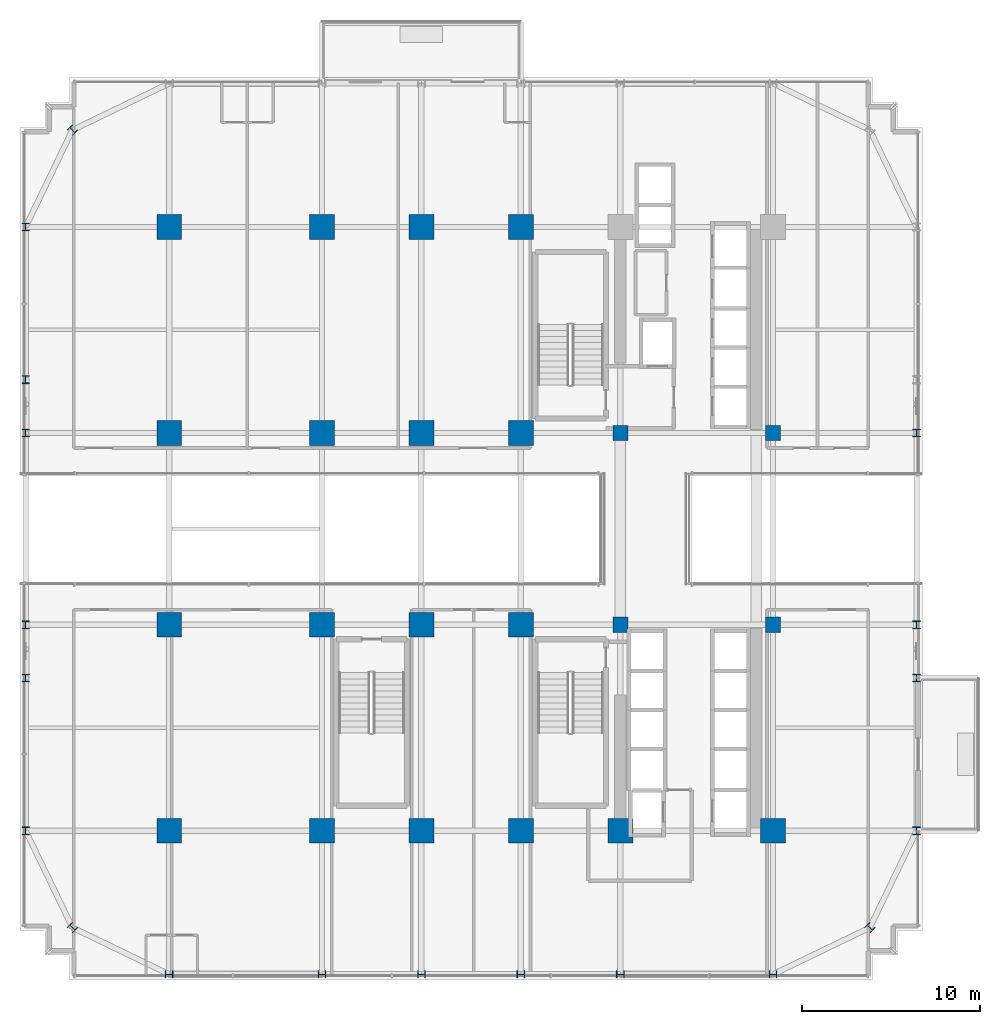
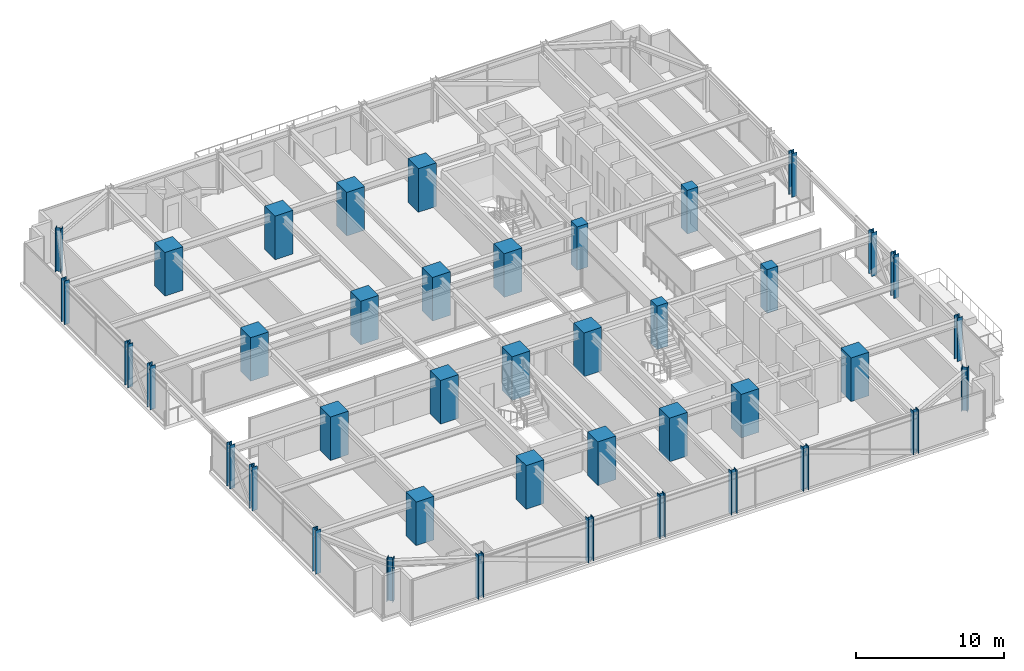
# One storey, part 1 of 47: 41 columns.
"""IFC4 building model written with IfcOpenShell, lengths in metres."""

from ifc_helpers import new_model, si_unit, direction, frame, origin, origin_2d, place, context, subcontext, project, spatial, rectangle, i_section, extrude, source, transform, mapped, material, material_profile, profile_set, type_object, element, save


model = new_model("IFC4")

# Units and contexts
model_context = context("Model", 3, precision=1e-05, world=origin(), true_north=direction((0.0, 1.0)))
body_context = subcontext(model_context, "Body", "Model", "MODEL_VIEW")
ifc_project = project(units=[si_unit("LENGTHUNIT", "METRE"), si_unit("AREAUNIT", "SQUARE_METRE"), si_unit("VOLUMEUNIT", "CUBIC_METRE"), si_unit("PLANEANGLEUNIT", "RADIAN"), si_unit("MASSUNIT", "GRAM", prefix="KILO")], contexts=[model_context])

# Site, building, storey
site_placement = place(None, origin())
site = spatial("IfcSite", under=ifc_project, at=site_placement, CompositionType="ELEMENT")
building_placement = place(site_placement, origin())
building = spatial("IfcBuilding", under=site, at=building_placement, Name="Nahalor Promenade Grand Hotel", CompositionType="ELEMENT")
storey_placement = place(building_placement, frame((0.0, 0.0, 68.89990234375)))
storey = spatial("IfcBuildingStorey", under=building, at=storey_placement, Name="L16", CompositionType="ELEMENT", Elevation=68.89990234375)

# Columns
ifc_material_1 = material(Name="Concrete B-70 (C60/75)", Category="concrete")
ifc_material_profile_1 = material_profile(ifc_material_1, rectangle(XDim=1.4, YDim=1.4, at=origin_2d()), Name="RC 1400x1400")
ifc_profile_set_1 = profile_set([ifc_material_profile_1], Name="Concrete B-70 (C60/75)")
column_type_1 = type_object("IfcColumnType", Name="Col-RC-1400", PredefinedType="COLUMN", material=ifc_profile_set_1)
shared_shape_1 = source(origin(), body_context, "Body", "SweptSolid", [
    extrude(rectangle(XDim=1.4, YDim=1.4, at=origin_2d()), origin(), (0.0, 0.0, 1.0), 3.60498046875),
])
for number, where, z_axis, x_axis, name in (
    (1, (-17.0, -17.0, 0.0), (0.0, 0.0, 1.0), (1.0, 0.0, 0.0), "COL-L16-I00"),
    (2, (-17.0, -5.39990234375, 0.0), (0.0, 0.0, 1.0), (1.0, 0.0, 0.0), "COL-L16-I01"),
    (3, (-17.0, 5.39990234375, 0.0), (0.0, 0.0, 1.0), (1.0, 0.0, 0.0), "COL-L16-I02"),
    (4, (-17.0, 17.0, 0.0), (0.0, 0.0, 1.0), (1.0, 0.0, 0.0), "COL-L16-I03"),
    (5, (-8.39990234375, -17.0, 0.0), (0.0, 0.0, 1.0), (1.0, 0.0, 0.0), "COL-L16-I10"),
    (6, (-8.39990234375, -5.39990234375, 0.0), (0.0, 0.0, 1.0), (1.0, 0.0, 0.0), "COL-L16-I11"),
    (7, (-8.39990234375, 5.39990234375, 0.0), (0.0, 0.0, 1.0), (1.0, 0.0, 0.0), "COL-L16-I12"),
    (8, (-8.39990234375, 17.0, 0.0), (0.0, 0.0, 1.0), (1.0, 0.0, 0.0), "COL-L16-I13"),
    (9, (-2.800048828125, -17.0, 0.0), (0.0, 0.0, 1.0), (1.0, 0.0, 0.0), "COL-L16-I20"),
    (10, (-2.800048828125, -5.39990234375, 0.0), (0.0, 0.0, 1.0), (1.0, 0.0, 0.0), "COL-L16-I21"),
    (11, (-2.800048828125, 5.39990234375, 0.0), (0.0, 0.0, 1.0), (1.0, 0.0, 0.0), "COL-L16-I22"),
    (12, (-2.800048828125, 17.0, 0.0), (0.0, 0.0, 1.0), (1.0, 0.0, 0.0), "COL-L16-I23"),
    (13, (2.800048828125, -17.0, 0.0), (0.0, 0.0, 1.0), (1.0, 0.0, 0.0), "COL-L16-I30"),
    (14, (2.800048828125, -5.39990234375, 0.0), (0.0, 0.0, 1.0), (1.0, 0.0, 0.0), "COL-L16-I31"),
    (15, (2.800048828125, 5.39990234375, 0.0), (0.0, 0.0, 1.0), (1.0, 0.0, 0.0), "COL-L16-I32"),
    (16, (2.800048828125, 17.0, 0.0), (0.0, 0.0, 1.0), (1.0, 0.0, 0.0), "COL-L16-I33"),
    (17, (8.39990234375, -17.0, 0.0), (0.0, 0.0, 1.0), (1.0, 0.0, 0.0), "COL-L16-I40"),
    (18, (17.0, -17.0, 0.0), (0.0, 0.0, 1.0), (1.0, 0.0, 0.0), "COL-L16-I50"),
):
    element("IfcColumn", number, at=place(storey_placement, frame(where, z_axis=z_axis, x_axis=x_axis)), inside=storey, type_object=column_type_1, Name=name, PredefinedType="COLUMN", context=body_context, shape_type="MappedRepresentation", body=[
        mapped(shared_shape_1, transform((0.0, 0.0, 0.0), scale=1.0)),
    ])
ifc_material_profile_2 = material_profile(ifc_material_1, rectangle(XDim=0.85, YDim=0.85, at=origin_2d()), Name="RC 850x850")
ifc_profile_set_2 = profile_set([ifc_material_profile_2], Name="Concrete B-70 (C60/75)")
column_type_2 = type_object("IfcColumnType", Name="Col-Pilaster-850", PredefinedType="PILASTER", material=ifc_profile_set_2)
shared_shape_2 = source(origin(), body_context, "Body", "SweptSolid", [
    extrude(rectangle(XDim=0.85, YDim=0.85, at=origin_2d()), origin(), (0.0, 0.0, 1.0), 3.60498046875),
])
for number, where, z_axis, x_axis, name in (
    (19, (8.39990234375, -5.39990234375, 0.0), (0.0, 0.0, 1.0), (1.0, 0.0, 0.0), "COL-L16-I41"),
    (20, (8.39990234375, 5.39990234375, 0.0), (0.0, 0.0, 1.0), (1.0, 0.0, 0.0), "COL-L16-I42"),
    (21, (17.0, -5.39990234375, 0.0), (0.0, 0.0, 1.0), (1.0, 0.0, 0.0), "COL-L16-I51"),
    (22, (17.0, 5.39990234375, 0.0), (0.0, 0.0, 1.0), (1.0, 0.0, 0.0), "COL-L16-I52"),
):
    element("IfcColumn", number, at=place(storey_placement, frame(where, z_axis=z_axis, x_axis=x_axis)), inside=storey, type_object=column_type_2, Name=name, PredefinedType="PILASTER", context=body_context, shape_type="MappedRepresentation", body=[
        mapped(shared_shape_2, transform((0.0, 0.0, 0.0), scale=1.0)),
    ])
ifc_material_2 = material(Name="Steel S355J2", Category="steel")
ifc_material_profile_3 = material_profile(ifc_material_2, i_section(OverallWidth=0.412, OverallDepth=0.438, WebThickness=0.0226, FlangeThickness=0.0365, at=origin_2d()), Name="HD 400x463")
ifc_profile_set_3 = profile_set([ifc_material_profile_3], Name="Steel S355J2")
column_type_3 = type_object("IfcColumnType", Name="Col-Steel-HD463", PredefinedType="COLUMN", material=ifc_profile_set_3)
shared_shape_3 = source(origin(), body_context, "Body", "SweptSolid", [
    extrude(i_section(OverallWidth=0.412, OverallDepth=0.438, WebThickness=0.0226, FlangeThickness=0.0365, at=origin_2d()), origin(), (0.0, 0.0, 1.0), 3.60498046875),
])
for number, where, z_axis, x_axis, name in (
    (23, (-25.080078125, -17.0, 0.0), (0.0, 0.0, 1.0), (1.0, 0.0, 0.0), "COL-L16-PW-W0"),
    (24, (25.080078125, -17.0, 0.0), (0.0, 0.0, 1.0), (1.0, 0.0, 0.0), "COL-L16-PW-E0"),
    (25, (-25.080078125, -8.39990234375, 0.0), (0.0, 0.0, 1.0), (1.0, 0.0, 0.0), "COL-L16-PW-W1"),
    (26, (25.080078125, -8.39990234375, 0.0), (0.0, 0.0, 1.0), (1.0, 0.0, 0.0), "COL-L16-PW-E1"),
    (27, (-25.080078125, -5.39990234375, 0.0), (0.0, 0.0, 1.0), (1.0, 0.0, 0.0), "COL-L16-PW-W2"),
    (28, (25.080078125, -5.39990234375, 0.0), (0.0, 0.0, 1.0), (1.0, 0.0, 0.0), "COL-L16-PW-E2"),
    (29, (-25.080078125, 5.39990234375, 0.0), (0.0, 0.0, 1.0), (1.0, 0.0, 0.0), "COL-L16-PW-W3"),
    (30, (25.080078125, 5.39990234375, 0.0), (0.0, 0.0, 1.0), (1.0, 0.0, 0.0), "COL-L16-PW-E3"),
    (31, (-25.080078125, 8.39990234375, 0.0), (0.0, 0.0, 1.0), (1.0, 0.0, 0.0), "COL-L16-PW-W4"),
    (32, (-25.080078125, 17.0, 0.0), (0.0, 0.0, 1.0), (1.0, 0.0, 0.0), "COL-L16-PW-W5"),
    (33, (-17.0, -25.080078125, 0.0), (0.0, 0.0, 1.0), (0.0, 1.0, 0.0), "COL-L16-PN-S0"),
    (34, (-8.39990234375, -25.080078125, 0.0), (0.0, 0.0, 1.0), (0.0, 1.0, 0.0), "COL-L16-PN-S1"),
    (35, (-2.800048828125, -25.080078125, 0.0), (0.0, 0.0, 1.0), (0.0, 1.0, 0.0), "COL-L16-PN-S2"),
    (36, (2.800048828125, -25.080078125, 0.0), (0.0, 0.0, 1.0), (0.0, 1.0, 0.0), "COL-L16-PN-S3"),
    (37, (8.39990234375, -25.080078125, 0.0), (0.0, 0.0, 1.0), (0.0, 1.0, 0.0), "COL-L16-PN-S4"),
    (38, (17.0, -25.080078125, 0.0), (0.0, 0.0, 1.0), (0.0, 1.0, 0.0), "COL-L16-PN-S5"),
    (39, (-22.449951171875, -22.449951171875, 0.0), (0.0, 0.0, 1.0), (0.707106781187, 0.707106781187, 0.0), "COL-L16-CRN-SW"),
    (40, (-22.449951171875, 22.449951171875, 0.0), (0.0, 0.0, 1.0), (0.707106781187, 0.707106781187, 0.0), "COL-L16-CRN-NW"),
    (41, (22.449951171875, -22.449951171875, 0.0), (0.0, 0.0, 1.0), (0.707106781187, 0.707106781187, 0.0), "COL-L16-CRN-SE"),
):
    element("IfcColumn", number, at=place(storey_placement, frame(where, z_axis=z_axis, x_axis=x_axis)), inside=storey, type_object=column_type_3, Name=name, PredefinedType="COLUMN", context=body_context, shape_type="MappedRepresentation", body=[
        mapped(shared_shape_3, transform((0.0, 0.0, 0.0), scale=1.0)),
    ])

save(model, "model.ifc")
